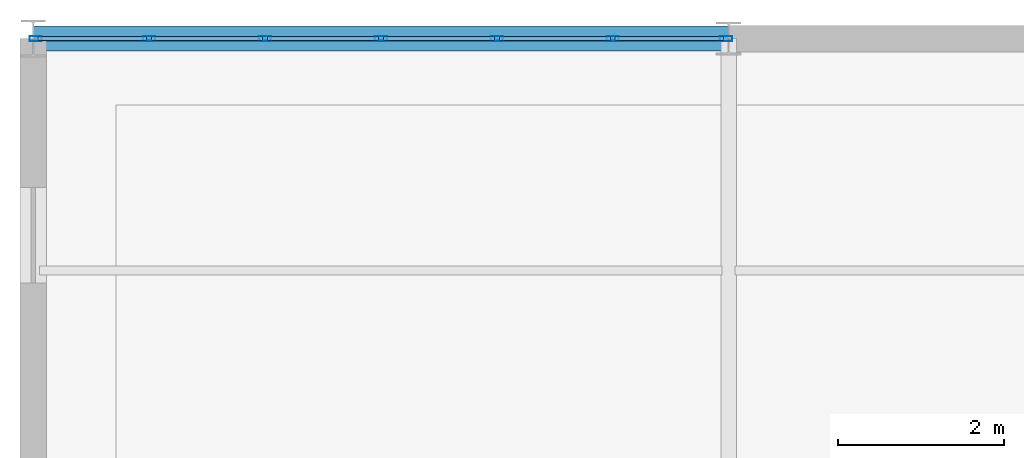
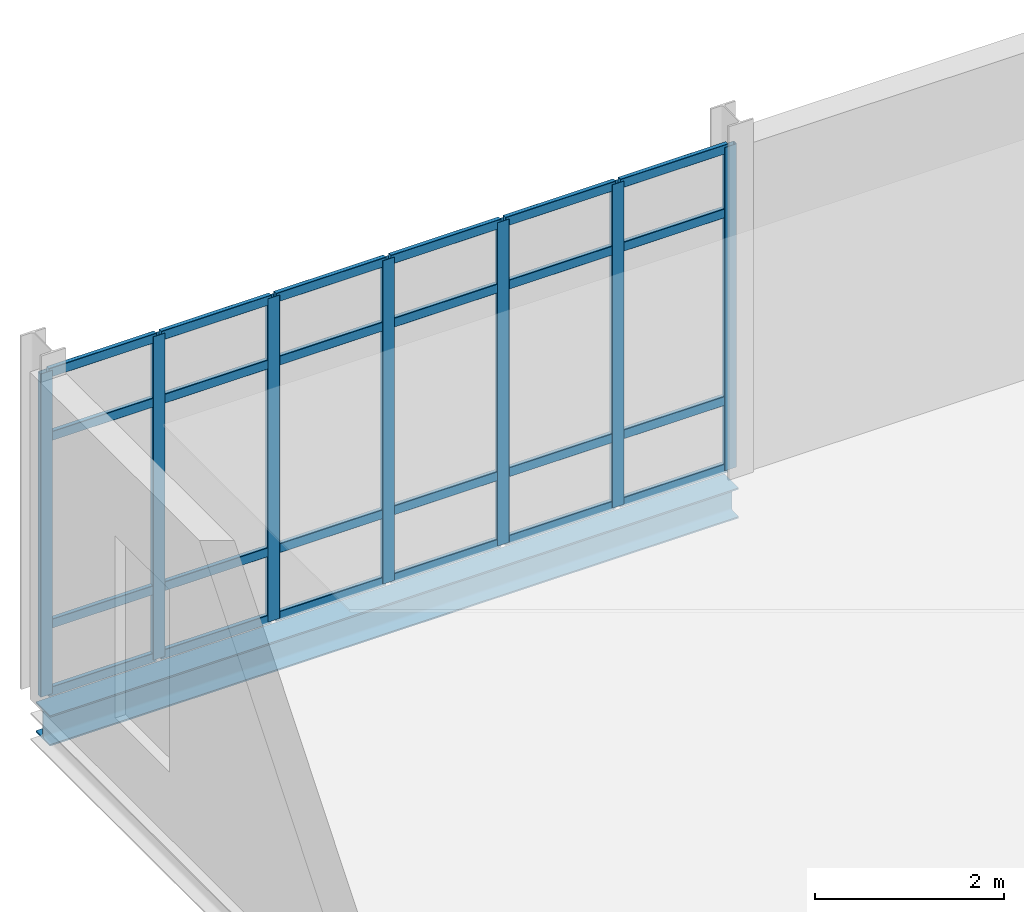
# One storey, part 16 of 28: 31 members, 1 beam, 1 element without a shape of its own.
"""IFC4 building model written with IfcOpenShell, lengths in metres."""

from ifc_helpers import new_model, si_unit, direction, frame, origin, origin_2d, place, context, subcontext, project, spatial, hollow_rectangle, i_section, extrude, material, layer, layer_set, material_profile, profile_set, type_object, element, aggregate, save


model = new_model("IFC4")

# Units and contexts
model_context = context("Model", 3, precision=1e-05, world=origin(), true_north=direction((0.0, 1.0)))
body_context = subcontext(model_context, "Body", "Model", "MODEL_VIEW")
ifc_project = project(units=[si_unit("LENGTHUNIT", "METRE"), si_unit("AREAUNIT", "SQUARE_METRE"), si_unit("VOLUMEUNIT", "CUBIC_METRE"), si_unit("PLANEANGLEUNIT", "RADIAN"), si_unit("MASSUNIT", "GRAM", prefix="KILO")], contexts=[model_context])

# Site, building, storey
site_placement = place(None, origin())
site = spatial("IfcSite", under=ifc_project, at=site_placement, CompositionType="ELEMENT")
building_placement = place(site_placement, origin())
building = spatial("IfcBuilding", under=site, at=building_placement, Name="Qalvenar Corner Mobility Hub", CompositionType="ELEMENT")
storey_placement = place(building_placement, frame((0.0, 0.0, 21.60009765625)))
storey = spatial("IfcBuildingStorey", under=building, at=storey_placement, Name="L05", CompositionType="ELEMENT", Elevation=21.60009765625)

# Beam
ifc_material_1 = material(Name="Steel S355", Category="steel")
ifc_material_profile_1 = material_profile(ifc_material_1, i_section(OverallWidth=0.300048828125, OverallDepth=0.389892578125, WebThickness=0.010986328125, FlangeThickness=0.01904296875, FilletRadius=0.027099609375, at=origin_2d()), Name="HEA400")
ifc_profile_set_1 = profile_set([ifc_material_profile_1], Name="Steel S355")
beam_type = type_object("IfcBeamType", Name="BM-SPN400", PredefinedType="SPANDREL", material=ifc_profile_set_1)
beam_placement = place(storey_placement, frame((0.0, 42.0, -0.375), z_axis=(1.0, 0.0, 0.0), x_axis=(0.0, 1.0, 0.0)))
element("IfcBeam", 1, at=beam_placement, inside=storey, type_object=beam_type, Name="Primary Steel Girder GX-2970", PredefinedType="SPANDREL", context=body_context, shape_type="SweptSolid", body=[
    extrude(i_section(OverallWidth=0.300048828125, OverallDepth=0.389892578125, WebThickness=0.010986328125, FlangeThickness=0.01904296875, FilletRadius=0.027099609375, at=origin_2d()), origin(), (0.0, 0.0, 1.0), 8.39990234375),
])

# Curtain wall, members
ifc_material_2 = material(Name="Anodised Aluminium and Low-E Glazing", Category="aluminium")
ifc_layer = layer(ifc_material_2, 0.14990234375)
ifc_layer_set = layer_set([ifc_layer], Name="Anodised Aluminium and Low-E Glazing")
curtain_wall_type = type_object("IfcCurtainWallType", Name="CW-CIV-84X40", PredefinedType="NOTDEFINED", material=ifc_layer_set)
curtain_wall_placement = place(storey_placement, origin())
curtain_wall = element("IfcCurtainWall", 2, at=curtain_wall_placement, inside=storey, type_object=curtain_wall_type, Name="Glazed Curtain Wall CW-V3-L05-N0", PredefinedType="NOTDEFINED")
ifc_material_3 = material(Name="Anodised Aluminium 6063-T6", Category="aluminium")
ifc_material_profile_2 = material_profile(ifc_material_3, hollow_rectangle(XDim=0.06005859375, YDim=0.14990234375, WallThickness=0.00390625, InnerFilletRadius=0.00390625, OuterFilletRadius=0.008056640625, at=origin_2d()), Name="RHS150x60x4")
ifc_profile_set_2 = profile_set([ifc_material_profile_2], Name="Anodised Aluminium 6063-T6")
member_type_1 = type_object("IfcMemberType", Name="CW-MUL150", PredefinedType="MULLION", material=ifc_profile_set_2)
member_1_placement = place(storey_placement, frame((8.3701171875, 42.0, 0.0), z_axis=(0.0, 0.0, 1.0), x_axis=(0.0, -1.0, 0.0)))
member_1 = element("IfcMember", 3, at=member_1_placement, type_object=member_type_1, Name="CW-05 mullion 1", PredefinedType="MULLION", context=body_context, shape_type="SweptSolid", body=[
    extrude(hollow_rectangle(XDim=0.06005859375, YDim=0.14990234375, WallThickness=0.00390625, InnerFilletRadius=0.00390625, OuterFilletRadius=0.008056640625, at=origin_2d()), origin(), (0.0, 0.0, 1.0), 4.169921875),
])
member_2_placement = place(storey_placement, frame((7.0, 42.0, 0.0), z_axis=(0.0, 0.0, 1.0), x_axis=(0.0, -1.0, 0.0)))
member_2 = element("IfcMember", 4, at=member_2_placement, type_object=member_type_1, Name="CW-05 mullion 2", PredefinedType="MULLION", context=body_context, shape_type="SweptSolid", body=[
    extrude(hollow_rectangle(XDim=0.06005859375, YDim=0.14990234375, WallThickness=0.00390625, InnerFilletRadius=0.00390625, OuterFilletRadius=0.008056640625, at=origin_2d()), origin(), (0.0, 0.0, 1.0), 4.169921875),
])
member_3_placement = place(storey_placement, frame((5.60009765625, 42.0, 0.0), z_axis=(0.0, 0.0, 1.0), x_axis=(0.0, -1.0, 0.0)))
member_3 = element("IfcMember", 5, at=member_3_placement, type_object=member_type_1, Name="CW-05 mullion 3", PredefinedType="MULLION", context=body_context, shape_type="SweptSolid", body=[
    extrude(hollow_rectangle(XDim=0.06005859375, YDim=0.14990234375, WallThickness=0.00390625, InnerFilletRadius=0.00390625, OuterFilletRadius=0.008056640625, at=origin_2d()), origin(), (0.0, 0.0, 1.0), 4.169921875),
])
member_4_placement = place(storey_placement, frame((4.199951171875, 42.0, 0.0), z_axis=(0.0, 0.0, 1.0), x_axis=(0.0, -1.0, 0.0)))
member_4 = element("IfcMember", 6, at=member_4_placement, type_object=member_type_1, Name="CW-05 mullion 4", PredefinedType="MULLION", context=body_context, shape_type="SweptSolid", body=[
    extrude(hollow_rectangle(XDim=0.06005859375, YDim=0.14990234375, WallThickness=0.00390625, InnerFilletRadius=0.00390625, OuterFilletRadius=0.008056640625, at=origin_2d()), origin(), (0.0, 0.0, 1.0), 4.169921875),
])
member_5_placement = place(storey_placement, frame((2.800048828125, 42.0, 0.0), z_axis=(0.0, 0.0, 1.0), x_axis=(0.0, -1.0, 0.0)))
member_5 = element("IfcMember", 7, at=member_5_placement, type_object=member_type_1, Name="CW-05 mullion 5", PredefinedType="MULLION", context=body_context, shape_type="SweptSolid", body=[
    extrude(hollow_rectangle(XDim=0.06005859375, YDim=0.14990234375, WallThickness=0.00390625, InnerFilletRadius=0.00390625, OuterFilletRadius=0.008056640625, at=origin_2d()), origin(), (0.0, 0.0, 1.0), 4.169921875),
])
member_6_placement = place(storey_placement, frame((1.39990234375, 42.0, 0.0), z_axis=(0.0, 0.0, 1.0), x_axis=(0.0, -1.0, 0.0)))
member_6 = element("IfcMember", 8, at=member_6_placement, type_object=member_type_1, Name="CW-05 mullion 6", PredefinedType="MULLION", context=body_context, shape_type="SweptSolid", body=[
    extrude(hollow_rectangle(XDim=0.06005859375, YDim=0.14990234375, WallThickness=0.00390625, InnerFilletRadius=0.00390625, OuterFilletRadius=0.008056640625, at=origin_2d()), origin(), (0.0, 0.0, 1.0), 4.169921875),
])
member_7_placement = place(storey_placement, frame((0.030029296875, 42.0, 0.0), z_axis=(0.0, 0.0, 1.0), x_axis=(0.0, -1.0, 0.0)))
member_7 = element("IfcMember", 9, at=member_7_placement, type_object=member_type_1, Name="CW-05 mullion 7", PredefinedType="MULLION", context=body_context, shape_type="SweptSolid", body=[
    extrude(hollow_rectangle(XDim=0.06005859375, YDim=0.14990234375, WallThickness=0.00390625, InnerFilletRadius=0.00390625, OuterFilletRadius=0.008056640625, at=origin_2d()), origin(), (0.0, 0.0, 1.0), 4.169921875),
])
ifc_material_profile_3 = material_profile(ifc_material_3, hollow_rectangle(XDim=0.054931640625, YDim=0.1201171875, WallThickness=0.00341796875, InnerFilletRadius=0.00341796875, OuterFilletRadius=0.007080078125, at=origin_2d()), Name="RHS120x55x3.5")
ifc_profile_set_3 = profile_set([ifc_material_profile_3], Name="Anodised Aluminium 6063-T6")
member_type_2 = type_object("IfcMemberType", Name="CW-TRN120", PredefinedType="USERDEFINED", material=ifc_profile_set_3)
member_8_placement = place(storey_placement, frame((8.340087890625, 42.0, 0.02734375), z_axis=(-1.0, 0.0, 0.0), x_axis=(0.0, -1.0, 0.0)))
member_8 = element("IfcMember", 10, at=member_8_placement, type_object=member_type_2, Name="CW-05 transom 1.1", ObjectType="TRANSOM", PredefinedType="USERDEFINED", context=body_context, shape_type="SweptSolid", body=[
    extrude(hollow_rectangle(XDim=0.054931640625, YDim=0.1201171875, WallThickness=0.00341796875, InnerFilletRadius=0.00341796875, OuterFilletRadius=0.007080078125, at=origin_2d()), origin(), (0.0, 0.0, 1.0), 1.31005859375),
])
member_9_placement = place(storey_placement, frame((8.340087890625, 42.0, 0.89990234375), z_axis=(-1.0, 0.0, 0.0), x_axis=(0.0, -1.0, 0.0)))
member_9 = element("IfcMember", 11, at=member_9_placement, type_object=member_type_2, Name="CW-05 transom 1.2", ObjectType="TRANSOM", PredefinedType="USERDEFINED", context=body_context, shape_type="SweptSolid", body=[
    extrude(hollow_rectangle(XDim=0.054931640625, YDim=0.1201171875, WallThickness=0.00341796875, InnerFilletRadius=0.00341796875, OuterFilletRadius=0.007080078125, at=origin_2d()), origin(), (0.0, 0.0, 1.0), 1.31005859375),
])
member_10_placement = place(storey_placement, frame((8.340087890625, 42.0, 3.31982421875), z_axis=(-1.0, 0.0, 0.0), x_axis=(0.0, -1.0, 0.0)))
member_10 = element("IfcMember", 12, at=member_10_placement, type_object=member_type_2, Name="CW-05 transom 1.3", ObjectType="TRANSOM", PredefinedType="USERDEFINED", context=body_context, shape_type="SweptSolid", body=[
    extrude(hollow_rectangle(XDim=0.054931640625, YDim=0.1201171875, WallThickness=0.00341796875, InnerFilletRadius=0.00341796875, OuterFilletRadius=0.007080078125, at=origin_2d()), origin(), (0.0, 0.0, 1.0), 1.31005859375),
])
member_11_placement = place(storey_placement, frame((8.340087890625, 42.0, 4.142333984375), z_axis=(-1.0, 0.0, 0.0), x_axis=(0.0, -1.0, 0.0)))
member_11 = element("IfcMember", 13, at=member_11_placement, type_object=member_type_2, Name="CW-05 transom 1.4", ObjectType="TRANSOM", PredefinedType="USERDEFINED", context=body_context, shape_type="SweptSolid", body=[
    extrude(hollow_rectangle(XDim=0.054931640625, YDim=0.1201171875, WallThickness=0.00341796875, InnerFilletRadius=0.00341796875, OuterFilletRadius=0.007080078125, at=origin_2d()), origin(), (0.0, 0.0, 1.0), 1.31005859375),
])
member_12_placement = place(storey_placement, frame((6.969970703125, 42.0, 0.02734375), z_axis=(-1.0, 0.0, 0.0), x_axis=(0.0, -1.0, 0.0)))
member_12 = element("IfcMember", 14, at=member_12_placement, type_object=member_type_2, Name="CW-05 transom 2.1", ObjectType="TRANSOM", PredefinedType="USERDEFINED", context=body_context, shape_type="SweptSolid", body=[
    extrude(hollow_rectangle(XDim=0.054931640625, YDim=0.1201171875, WallThickness=0.00341796875, InnerFilletRadius=0.00341796875, OuterFilletRadius=0.007080078125, at=origin_2d()), origin(), (0.0, 0.0, 1.0), 1.340087890625),
])
member_13_placement = place(storey_placement, frame((6.969970703125, 42.0, 0.89990234375), z_axis=(-1.0, 0.0, 0.0), x_axis=(0.0, -1.0, 0.0)))
member_13 = element("IfcMember", 15, at=member_13_placement, type_object=member_type_2, Name="CW-05 transom 2.2", ObjectType="TRANSOM", PredefinedType="USERDEFINED", context=body_context, shape_type="SweptSolid", body=[
    extrude(hollow_rectangle(XDim=0.054931640625, YDim=0.1201171875, WallThickness=0.00341796875, InnerFilletRadius=0.00341796875, OuterFilletRadius=0.007080078125, at=origin_2d()), origin(), (0.0, 0.0, 1.0), 1.340087890625),
])
member_14_placement = place(storey_placement, frame((6.969970703125, 42.0, 3.31982421875), z_axis=(-1.0, 0.0, 0.0), x_axis=(0.0, -1.0, 0.0)))
member_14 = element("IfcMember", 16, at=member_14_placement, type_object=member_type_2, Name="CW-05 transom 2.3", ObjectType="TRANSOM", PredefinedType="USERDEFINED", context=body_context, shape_type="SweptSolid", body=[
    extrude(hollow_rectangle(XDim=0.054931640625, YDim=0.1201171875, WallThickness=0.00341796875, InnerFilletRadius=0.00341796875, OuterFilletRadius=0.007080078125, at=origin_2d()), origin(), (0.0, 0.0, 1.0), 1.340087890625),
])
member_15_placement = place(storey_placement, frame((6.969970703125, 42.0, 4.142333984375), z_axis=(-1.0, 0.0, 0.0), x_axis=(0.0, -1.0, 0.0)))
member_15 = element("IfcMember", 17, at=member_15_placement, type_object=member_type_2, Name="CW-05 transom 2.4", ObjectType="TRANSOM", PredefinedType="USERDEFINED", context=body_context, shape_type="SweptSolid", body=[
    extrude(hollow_rectangle(XDim=0.054931640625, YDim=0.1201171875, WallThickness=0.00341796875, InnerFilletRadius=0.00341796875, OuterFilletRadius=0.007080078125, at=origin_2d()), origin(), (0.0, 0.0, 1.0), 1.340087890625),
])
member_16_placement = place(storey_placement, frame((5.570068359375, 42.0, 0.02734375), z_axis=(-1.0, 0.0, 0.0), x_axis=(0.0, -1.0, 0.0)))
member_16 = element("IfcMember", 18, at=member_16_placement, type_object=member_type_2, Name="CW-05 transom 3.1", ObjectType="TRANSOM", PredefinedType="USERDEFINED", context=body_context, shape_type="SweptSolid", body=[
    extrude(hollow_rectangle(XDim=0.054931640625, YDim=0.1201171875, WallThickness=0.00341796875, InnerFilletRadius=0.00341796875, OuterFilletRadius=0.007080078125, at=origin_2d()), origin(), (0.0, 0.0, 1.0), 1.340087890625),
])
member_17_placement = place(storey_placement, frame((5.570068359375, 42.0, 0.89990234375), z_axis=(-1.0, 0.0, 0.0), x_axis=(0.0, -1.0, 0.0)))
member_17 = element("IfcMember", 19, at=member_17_placement, type_object=member_type_2, Name="CW-05 transom 3.2", ObjectType="TRANSOM", PredefinedType="USERDEFINED", context=body_context, shape_type="SweptSolid", body=[
    extrude(hollow_rectangle(XDim=0.054931640625, YDim=0.1201171875, WallThickness=0.00341796875, InnerFilletRadius=0.00341796875, OuterFilletRadius=0.007080078125, at=origin_2d()), origin(), (0.0, 0.0, 1.0), 1.340087890625),
])
member_18_placement = place(storey_placement, frame((5.570068359375, 42.0, 3.31982421875), z_axis=(-1.0, 0.0, 0.0), x_axis=(0.0, -1.0, 0.0)))
member_18 = element("IfcMember", 20, at=member_18_placement, type_object=member_type_2, Name="CW-05 transom 3.3", ObjectType="TRANSOM", PredefinedType="USERDEFINED", context=body_context, shape_type="SweptSolid", body=[
    extrude(hollow_rectangle(XDim=0.054931640625, YDim=0.1201171875, WallThickness=0.00341796875, InnerFilletRadius=0.00341796875, OuterFilletRadius=0.007080078125, at=origin_2d()), origin(), (0.0, 0.0, 1.0), 1.340087890625),
])
member_19_placement = place(storey_placement, frame((5.570068359375, 42.0, 4.142333984375), z_axis=(-1.0, 0.0, 0.0), x_axis=(0.0, -1.0, 0.0)))
member_19 = element("IfcMember", 21, at=member_19_placement, type_object=member_type_2, Name="CW-05 transom 3.4", ObjectType="TRANSOM", PredefinedType="USERDEFINED", context=body_context, shape_type="SweptSolid", body=[
    extrude(hollow_rectangle(XDim=0.054931640625, YDim=0.1201171875, WallThickness=0.00341796875, InnerFilletRadius=0.00341796875, OuterFilletRadius=0.007080078125, at=origin_2d()), origin(), (0.0, 0.0, 1.0), 1.340087890625),
])
member_20_placement = place(storey_placement, frame((4.169921875, 42.0, 0.02734375), z_axis=(-1.0, 0.0, 0.0), x_axis=(0.0, -1.0, 0.0)))
member_20 = element("IfcMember", 22, at=member_20_placement, type_object=member_type_2, Name="CW-05 transom 4.1", ObjectType="TRANSOM", PredefinedType="USERDEFINED", context=body_context, shape_type="SweptSolid", body=[
    extrude(hollow_rectangle(XDim=0.054931640625, YDim=0.1201171875, WallThickness=0.00341796875, InnerFilletRadius=0.00341796875, OuterFilletRadius=0.007080078125, at=origin_2d()), origin(), (0.0, 0.0, 1.0), 1.33984375),
])
member_21_placement = place(storey_placement, frame((4.169921875, 42.0, 0.89990234375), z_axis=(-1.0, 0.0, 0.0), x_axis=(0.0, -1.0, 0.0)))
member_21 = element("IfcMember", 23, at=member_21_placement, type_object=member_type_2, Name="CW-05 transom 4.2", ObjectType="TRANSOM", PredefinedType="USERDEFINED", context=body_context, shape_type="SweptSolid", body=[
    extrude(hollow_rectangle(XDim=0.054931640625, YDim=0.1201171875, WallThickness=0.00341796875, InnerFilletRadius=0.00341796875, OuterFilletRadius=0.007080078125, at=origin_2d()), origin(), (0.0, 0.0, 1.0), 1.33984375),
])
member_22_placement = place(storey_placement, frame((4.169921875, 42.0, 3.31982421875), z_axis=(-1.0, 0.0, 0.0), x_axis=(0.0, -1.0, 0.0)))
member_22 = element("IfcMember", 24, at=member_22_placement, type_object=member_type_2, Name="CW-05 transom 4.3", ObjectType="TRANSOM", PredefinedType="USERDEFINED", context=body_context, shape_type="SweptSolid", body=[
    extrude(hollow_rectangle(XDim=0.054931640625, YDim=0.1201171875, WallThickness=0.00341796875, InnerFilletRadius=0.00341796875, OuterFilletRadius=0.007080078125, at=origin_2d()), origin(), (0.0, 0.0, 1.0), 1.33984375),
])
member_23_placement = place(storey_placement, frame((4.169921875, 42.0, 4.142333984375), z_axis=(-1.0, 0.0, 0.0), x_axis=(0.0, -1.0, 0.0)))
member_23 = element("IfcMember", 25, at=member_23_placement, type_object=member_type_2, Name="CW-05 transom 4.4", ObjectType="TRANSOM", PredefinedType="USERDEFINED", context=body_context, shape_type="SweptSolid", body=[
    extrude(hollow_rectangle(XDim=0.054931640625, YDim=0.1201171875, WallThickness=0.00341796875, InnerFilletRadius=0.00341796875, OuterFilletRadius=0.007080078125, at=origin_2d()), origin(), (0.0, 0.0, 1.0), 1.33984375),
])
member_24_placement = place(storey_placement, frame((2.77001953125, 42.0, 0.02734375), z_axis=(-1.0, 0.0, 0.0), x_axis=(0.0, -1.0, 0.0)))
member_24 = element("IfcMember", 26, at=member_24_placement, type_object=member_type_2, Name="CW-05 transom 5.1", ObjectType="TRANSOM", PredefinedType="USERDEFINED", context=body_context, shape_type="SweptSolid", body=[
    extrude(hollow_rectangle(XDim=0.054931640625, YDim=0.1201171875, WallThickness=0.00341796875, InnerFilletRadius=0.00341796875, OuterFilletRadius=0.007080078125, at=origin_2d()), origin(), (0.0, 0.0, 1.0), 1.340087890625),
])
member_25_placement = place(storey_placement, frame((2.77001953125, 42.0, 0.89990234375), z_axis=(-1.0, 0.0, 0.0), x_axis=(0.0, -1.0, 0.0)))
member_25 = element("IfcMember", 27, at=member_25_placement, type_object=member_type_2, Name="CW-05 transom 5.2", ObjectType="TRANSOM", PredefinedType="USERDEFINED", context=body_context, shape_type="SweptSolid", body=[
    extrude(hollow_rectangle(XDim=0.054931640625, YDim=0.1201171875, WallThickness=0.00341796875, InnerFilletRadius=0.00341796875, OuterFilletRadius=0.007080078125, at=origin_2d()), origin(), (0.0, 0.0, 1.0), 1.340087890625),
])
member_26_placement = place(storey_placement, frame((2.77001953125, 42.0, 3.31982421875), z_axis=(-1.0, 0.0, 0.0), x_axis=(0.0, -1.0, 0.0)))
member_26 = element("IfcMember", 28, at=member_26_placement, type_object=member_type_2, Name="CW-05 transom 5.3", ObjectType="TRANSOM", PredefinedType="USERDEFINED", context=body_context, shape_type="SweptSolid", body=[
    extrude(hollow_rectangle(XDim=0.054931640625, YDim=0.1201171875, WallThickness=0.00341796875, InnerFilletRadius=0.00341796875, OuterFilletRadius=0.007080078125, at=origin_2d()), origin(), (0.0, 0.0, 1.0), 1.340087890625),
])
member_27_placement = place(storey_placement, frame((2.77001953125, 42.0, 4.142333984375), z_axis=(-1.0, 0.0, 0.0), x_axis=(0.0, -1.0, 0.0)))
member_27 = element("IfcMember", 29, at=member_27_placement, type_object=member_type_2, Name="CW-05 transom 5.4", ObjectType="TRANSOM", PredefinedType="USERDEFINED", context=body_context, shape_type="SweptSolid", body=[
    extrude(hollow_rectangle(XDim=0.054931640625, YDim=0.1201171875, WallThickness=0.00341796875, InnerFilletRadius=0.00341796875, OuterFilletRadius=0.007080078125, at=origin_2d()), origin(), (0.0, 0.0, 1.0), 1.340087890625),
])
member_28_placement = place(storey_placement, frame((1.3701171875, 42.0, 0.02734375), z_axis=(-1.0, 0.0, 0.0), x_axis=(0.0, -1.0, 0.0)))
member_28 = element("IfcMember", 30, at=member_28_placement, type_object=member_type_2, Name="CW-05 transom 6.1", ObjectType="TRANSOM", PredefinedType="USERDEFINED", context=body_context, shape_type="SweptSolid", body=[
    extrude(hollow_rectangle(XDim=0.054931640625, YDim=0.1201171875, WallThickness=0.00341796875, InnerFilletRadius=0.00341796875, OuterFilletRadius=0.007080078125, at=origin_2d()), origin(), (0.0, 0.0, 1.0), 1.31005859375),
])
member_29_placement = place(storey_placement, frame((1.3701171875, 42.0, 0.89990234375), z_axis=(-1.0, 0.0, 0.0), x_axis=(0.0, -1.0, 0.0)))
member_29 = element("IfcMember", 31, at=member_29_placement, type_object=member_type_2, Name="CW-05 transom 6.2", ObjectType="TRANSOM", PredefinedType="USERDEFINED", context=body_context, shape_type="SweptSolid", body=[
    extrude(hollow_rectangle(XDim=0.054931640625, YDim=0.1201171875, WallThickness=0.00341796875, InnerFilletRadius=0.00341796875, OuterFilletRadius=0.007080078125, at=origin_2d()), origin(), (0.0, 0.0, 1.0), 1.31005859375),
])
member_30_placement = place(storey_placement, frame((1.3701171875, 42.0, 3.31982421875), z_axis=(-1.0, 0.0, 0.0), x_axis=(0.0, -1.0, 0.0)))
member_30 = element("IfcMember", 32, at=member_30_placement, type_object=member_type_2, Name="CW-05 transom 6.3", ObjectType="TRANSOM", PredefinedType="USERDEFINED", context=body_context, shape_type="SweptSolid", body=[
    extrude(hollow_rectangle(XDim=0.054931640625, YDim=0.1201171875, WallThickness=0.00341796875, InnerFilletRadius=0.00341796875, OuterFilletRadius=0.007080078125, at=origin_2d()), origin(), (0.0, 0.0, 1.0), 1.31005859375),
])
member_31_placement = place(storey_placement, frame((1.3701171875, 42.0, 4.142333984375), z_axis=(-1.0, 0.0, 0.0), x_axis=(0.0, -1.0, 0.0)))
member_31 = element("IfcMember", 33, at=member_31_placement, type_object=member_type_2, Name="CW-05 transom 6.4", ObjectType="TRANSOM", PredefinedType="USERDEFINED", context=body_context, shape_type="SweptSolid", body=[
    extrude(hollow_rectangle(XDim=0.054931640625, YDim=0.1201171875, WallThickness=0.00341796875, InnerFilletRadius=0.00341796875, OuterFilletRadius=0.007080078125, at=origin_2d()), origin(), (0.0, 0.0, 1.0), 1.31005859375),
])
aggregate(curtain_wall, [member_1, member_2, member_3, member_4, member_5, member_6, member_7, member_8, member_9, member_10, member_11, member_12, member_13, member_14, member_15, member_16, member_17, member_18, member_19, member_20, member_21, member_22, member_23, member_24, member_25, member_26, member_27, member_28, member_29, member_30, member_31])

save(model, "model.ifc")
